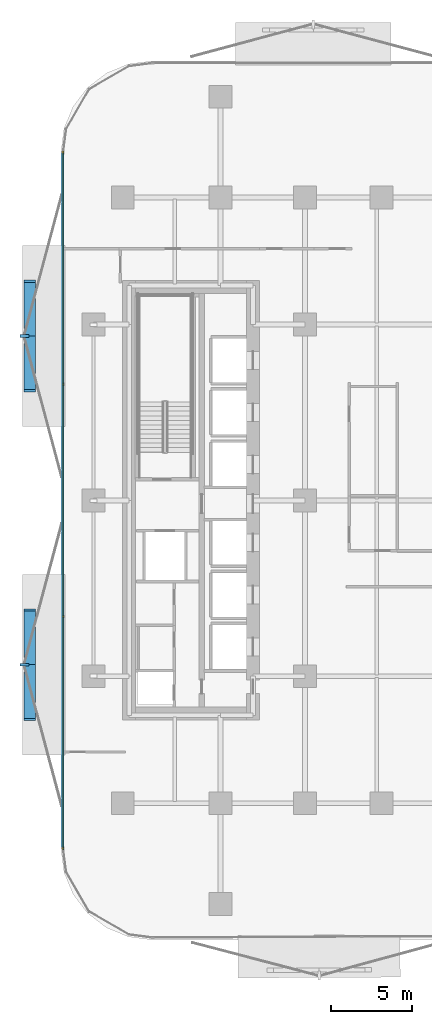
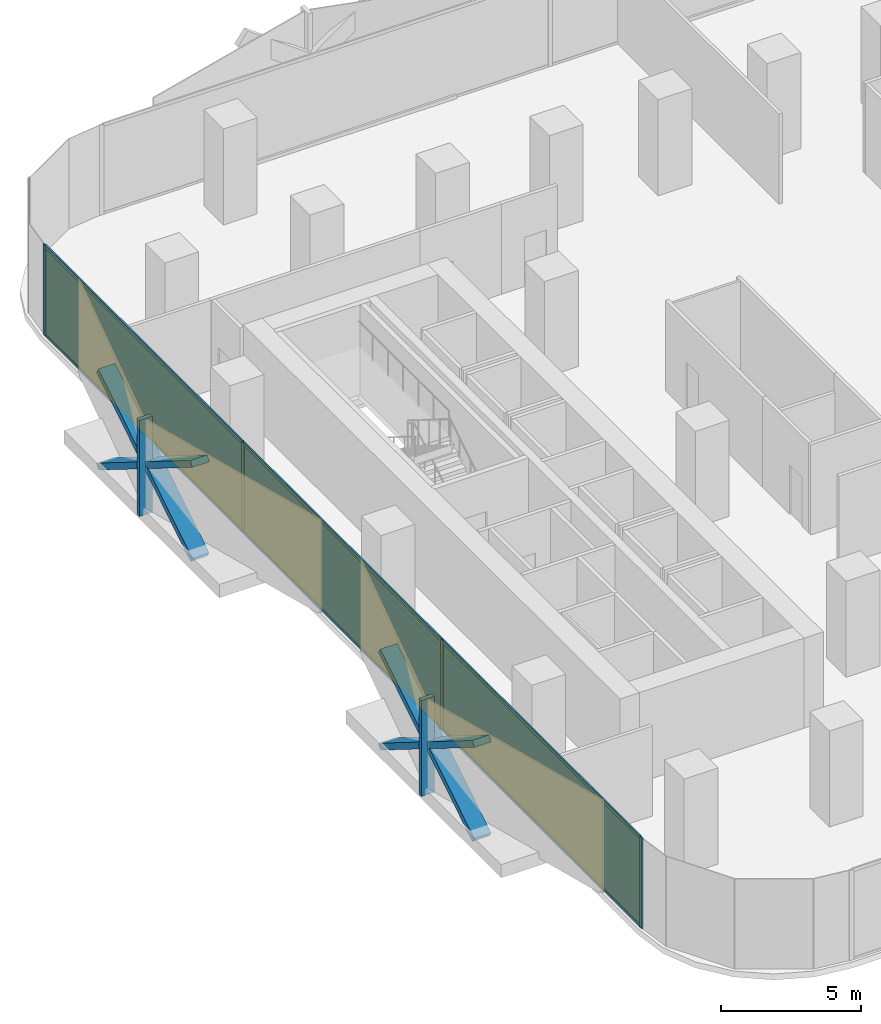
# One storey, part 8 of 15: 16 members, 3 plates, 1 curtain wall.
"""IFC4 building model written with IfcOpenShell, lengths in metres."""

from ifc_helpers import new_model, si_unit, direction, frame, frame_2d, origin, origin_2d, place, context, subcontext, project, spatial, rectangle, extrude, material, layer, layer_set, material_profile, profile_set, type_object, element, aggregate, save


model = new_model("IFC4")

# Units and contexts
model_context = context("Model", 3, precision=1e-05, world=origin(), true_north=direction((0.0, 1.0)))
body_context = subcontext(model_context, "Body", "Model", "MODEL_VIEW")
ifc_project = project(units=[si_unit("LENGTHUNIT", "METRE"), si_unit("AREAUNIT", "SQUARE_METRE"), si_unit("VOLUMEUNIT", "CUBIC_METRE"), si_unit("PLANEANGLEUNIT", "RADIAN"), si_unit("MASSUNIT", "GRAM", prefix="KILO")], contexts=[model_context])

# Member
ifc_material_1 = material(Name="Anodised Bronze Aluminium 6063-T6", Category="aluminium")
ifc_material_profile_1 = material_profile(ifc_material_1, rectangle(XDim=0.260009765625, YDim=0.699951171875, at=origin_2d()))
ifc_profile_set_1 = profile_set([ifc_material_profile_1], Name="Anodised Bronze Aluminium 6063-T6")
member_type_1 = type_object("IfcMemberType", Name="Bronze Diamond Solar-Screen Lattice Rib BDL-700", PredefinedType="MULLION", material=ifc_profile_set_1)
site_placement = place(None, origin())
building_placement = place(site_placement, origin())
storey_placement = place(building_placement, frame((0.0, 0.0, 30.199951171875)))
member_1_placement = place(storey_placement, frame((-26.10009765625, -13.46044921875, -0.1298828125), z_axis=(0.0, 0.848362902952, 0.529415134744), x_axis=(0.0, -0.529415134744, 0.848362902952)))
member_1 = element("IfcMember", 1, at=member_1_placement, type_object=member_type_1, Name="L07 Bronze Diamond Solar Screen Lattice Rib 11A", PredefinedType="MULLION", context=body_context, shape_type="SweptSolid", body=[
    extrude(rectangle(XDim=0.260009765625, YDim=0.699951171875, at=origin_2d()), origin(), (0.0, 0.0, 1.0), 7.93310546875),
])

member_2_placement = place(storey_placement, frame((-26.10009765625, -6.730224609375, -0.1298828125), z_axis=(0.0, -0.848362902952, 0.529415134744), x_axis=(0.0, 0.529415134744, 0.848362902952)))
member_2 = element("IfcMember", 2, at=member_2_placement, type_object=member_type_1, Name="L07 Bronze Diamond Solar Screen Lattice Rib 11B", PredefinedType="MULLION", context=body_context, shape_type="SweptSolid", body=[
    extrude(rectangle(XDim=0.260009765625, YDim=0.699951171875, at=origin_2d()), origin(), (0.0, 0.0, 1.0), 7.93310546875),
])

member_3_placement = place(storey_placement, frame((-26.10009765625, 6.730224609375, -0.1298828125), z_axis=(0.0, 0.848362902952, 0.529415134744), x_axis=(0.0, -0.529415134744, 0.848362902952)))
member_3 = element("IfcMember", 3, at=member_3_placement, type_object=member_type_1, Name="L07 Bronze Diamond Solar Screen Lattice Rib 12A", PredefinedType="MULLION", context=body_context, shape_type="SweptSolid", body=[
    extrude(rectangle(XDim=0.260009765625, YDim=0.699951171875, at=origin_2d()), origin(), (0.0, 0.0, 1.0), 7.93310546875),
])

member_4_placement = place(storey_placement, frame((-26.10009765625, 13.46044921875, -0.1298828125), z_axis=(0.0, -0.848362902952, 0.529415134744), x_axis=(0.0, 0.529415134744, 0.848362902952)))
member_4 = element("IfcMember", 4, at=member_4_placement, type_object=member_type_1, Name="L07 Bronze Diamond Solar Screen Lattice Rib 12B", PredefinedType="MULLION", context=body_context, shape_type="SweptSolid", body=[
    extrude(rectangle(XDim=0.260009765625, YDim=0.699951171875, at=origin_2d()), origin(), (0.0, 0.0, 1.0), 7.93310546875),
])

ifc_material_2 = material(Name="Anodised Bronze Aluminium 6063-T6", Category="aluminium")
ifc_material_profile_2 = material_profile(ifc_material_2, rectangle(XDim=0.179931640625, YDim=0.5400390625, at=origin_2d()))
ifc_profile_set_2 = profile_set([ifc_material_profile_2], Name="Anodised Bronze Aluminium 6063-T6")
member_type_2 = type_object("IfcMemberType", Name="Bronze Solar-Screen Vertical Fold Fin BSF-540", PredefinedType="MULLION", material=ifc_profile_set_2)
member_5_placement = place(storey_placement, frame((-26.43994140625, -10.095458984375, -0.1298828125), z_axis=(0.0, 0.0, 1.0), x_axis=(0.0, 1.0, 0.0)))
member_5 = element("IfcMember", 5, at=member_5_placement, type_object=member_type_2, Name="L07 Bronze Solar Screen Vertical Fin 11", PredefinedType="MULLION", context=body_context, shape_type="SweptSolid", body=[
    extrude(rectangle(XDim=0.179931640625, YDim=0.5400390625, at=origin_2d()), origin(), (0.0, 0.0, 1.0), 4.199951171875),
])

member_6_placement = place(storey_placement, frame((-26.43994140625, 10.095458984375, -0.1298828125), z_axis=(0.0, 0.0, 1.0), x_axis=(0.0, 1.0, 0.0)))
member_6 = element("IfcMember", 6, at=member_6_placement, type_object=member_type_2, Name="L07 Bronze Solar Screen Vertical Fin 12", PredefinedType="MULLION", context=body_context, shape_type="SweptSolid", body=[
    extrude(rectangle(XDim=0.179931640625, YDim=0.5400390625, at=origin_2d()), origin(), (0.0, 0.0, 1.0), 4.199951171875),
])

ifc_material_3 = material(Name="Anodised Bronze Aluminium 6063-T6", Category="aluminium")
ifc_material_profile_3 = material_profile(ifc_material_3, rectangle(XDim=0.06494140625, YDim=0.179931640625, at=origin_2d()))
ifc_profile_set_3 = profile_set([ifc_material_profile_3], Name="Anodised Bronze Aluminium 6063-T6")
member_type_3 = type_object("IfcMemberType", Name="CW-Z1 Mullion 65x180", PredefinedType="MULLION", material=ifc_profile_set_3)
member_7_placement = place(storey_placement, frame((-24.06005859375, -21.3583984375, 0.0), z_axis=(0.0, 0.0, 1.0), x_axis=(-1.0, 0.0, 0.0)))
member_7 = element("IfcMember", 7, at=member_7_placement, type_object=member_type_3, Name="CW-Z1 mullion 1", PredefinedType="MULLION", context=body_context, shape_type="SweptSolid", body=[
    extrude(rectangle(XDim=0.06494140625, YDim=0.179931640625, at=origin_2d()), origin(), (0.0, 0.0, 1.0), 3.93994140625),
])

member_8_placement = place(storey_placement, frame((-24.06005859375, -7.13037109375, 0.0), z_axis=(0.0, 0.0, 1.0), x_axis=(-1.0, 0.0, 0.0)))
member_8 = element("IfcMember", 8, at=member_8_placement, type_object=member_type_3, Name="CW-Z1 mullion 2", PredefinedType="MULLION", context=body_context, shape_type="SweptSolid", body=[
    extrude(rectangle(XDim=0.06494140625, YDim=0.179931640625, at=origin_2d()), origin(), (0.0, 0.0, 1.0), 3.93994140625),
])

member_9_placement = place(storey_placement, frame((-24.06005859375, 7.13037109375, 0.0), z_axis=(0.0, 0.0, 1.0), x_axis=(-1.0, 0.0, 0.0)))
member_9 = element("IfcMember", 9, at=member_9_placement, type_object=member_type_3, Name="CW-Z1 mullion 3", PredefinedType="MULLION", context=body_context, shape_type="SweptSolid", body=[
    extrude(rectangle(XDim=0.06494140625, YDim=0.179931640625, at=origin_2d()), origin(), (0.0, 0.0, 1.0), 3.93994140625),
])

member_10_placement = place(storey_placement, frame((-24.06005859375, 21.3583984375, 0.0), z_axis=(0.0, 0.0, 1.0), x_axis=(-1.0, 0.0, 0.0)))
member_10 = element("IfcMember", 10, at=member_10_placement, type_object=member_type_3, Name="CW-Z1 mullion 4", PredefinedType="MULLION", context=body_context, shape_type="SweptSolid", body=[
    extrude(rectangle(XDim=0.06494140625, YDim=0.179931640625, at=origin_2d()), origin(), (0.0, 0.0, 1.0), 3.93994140625),
])

ifc_material_4 = material(Name="Anodised Bronze Aluminium 6063-T6", Category="aluminium")
ifc_material_profile_4 = material_profile(ifc_material_4, rectangle(XDim=0.06494140625, YDim=0.139892578125, at=origin_2d()))
ifc_profile_set_4 = profile_set([ifc_material_profile_4], Name="Anodised Bronze Aluminium 6063-T6")
member_type_4 = type_object("IfcMemberType", Name="CW-Z1 Transom 65x140", PredefinedType="USERDEFINED", material=ifc_profile_set_4)
member_11_placement = place(storey_placement, frame((-24.06005859375, -21.32568359375, 0.032470703125), z_axis=(0.0, 1.0, 0.0), x_axis=(-1.0, 0.0, 0.0)))
member_11 = element("IfcMember", 11, at=member_11_placement, type_object=member_type_4, Name="CW-Z1 transom 1.1", ObjectType="TRANSOM", PredefinedType="USERDEFINED", context=body_context, shape_type="SweptSolid", body=[
    extrude(rectangle(XDim=0.06494140625, YDim=0.139892578125, at=origin_2d()), origin(), (0.0, 0.0, 1.0), 14.162841796875),
])

member_12_placement = place(storey_placement, frame((-24.06005859375, -21.32568359375, 3.907470703125), z_axis=(0.0, 1.0, 0.0), x_axis=(-1.0, 0.0, 0.0)))
member_12 = element("IfcMember", 12, at=member_12_placement, type_object=member_type_4, Name="CW-Z1 transom 1.2", ObjectType="TRANSOM", PredefinedType="USERDEFINED", context=body_context, shape_type="SweptSolid", body=[
    extrude(rectangle(XDim=0.06494140625, YDim=0.139892578125, at=origin_2d()), origin(), (0.0, 0.0, 1.0), 14.162841796875),
])

member_13_placement = place(storey_placement, frame((-24.06005859375, -7.09765625, 0.032470703125), z_axis=(0.0, 1.0, 0.0), x_axis=(-1.0, 0.0, 0.0)))
member_13 = element("IfcMember", 13, at=member_13_placement, type_object=member_type_4, Name="CW-Z1 transom 2.1", ObjectType="TRANSOM", PredefinedType="USERDEFINED", context=body_context, shape_type="SweptSolid", body=[
    extrude(rectangle(XDim=0.06494140625, YDim=0.139892578125, at=origin_2d()), origin(), (0.0, 0.0, 1.0), 14.1953125),
])

member_14_placement = place(storey_placement, frame((-24.06005859375, -7.09765625, 3.907470703125), z_axis=(0.0, 1.0, 0.0), x_axis=(-1.0, 0.0, 0.0)))
member_14 = element("IfcMember", 14, at=member_14_placement, type_object=member_type_4, Name="CW-Z1 transom 2.2", ObjectType="TRANSOM", PredefinedType="USERDEFINED", context=body_context, shape_type="SweptSolid", body=[
    extrude(rectangle(XDim=0.06494140625, YDim=0.139892578125, at=origin_2d()), origin(), (0.0, 0.0, 1.0), 14.1953125),
])

member_15_placement = place(storey_placement, frame((-24.06005859375, 7.162841796875, 0.032470703125), z_axis=(0.0, 1.0, 0.0), x_axis=(-1.0, 0.0, 0.0)))
member_15 = element("IfcMember", 15, at=member_15_placement, type_object=member_type_4, Name="CW-Z1 transom 3.1", ObjectType="TRANSOM", PredefinedType="USERDEFINED", context=body_context, shape_type="SweptSolid", body=[
    extrude(rectangle(XDim=0.06494140625, YDim=0.139892578125, at=origin_2d()), origin(), (0.0, 0.0, 1.0), 14.162841796875),
])

member_16_placement = place(storey_placement, frame((-24.06005859375, 7.162841796875, 3.907470703125), z_axis=(0.0, 1.0, 0.0), x_axis=(-1.0, 0.0, 0.0)))
member_16 = element("IfcMember", 16, at=member_16_placement, type_object=member_type_4, Name="CW-Z1 transom 3.2", ObjectType="TRANSOM", PredefinedType="USERDEFINED", context=body_context, shape_type="SweptSolid", body=[
    extrude(rectangle(XDim=0.06494140625, YDim=0.139892578125, at=origin_2d()), origin(), (0.0, 0.0, 1.0), 14.162841796875),
])

# Plate
ifc_material_5 = material(Name="Low-E Solar Control Laminated Glass", Category="glass")
ifc_layer_1 = layer(ifc_material_5, 0.028076171875, Name="Low-E Solar Control Laminated Glass")
ifc_layer_set_1 = layer_set([ifc_layer_1], Name="Low-E Solar Control Laminated Glass")
plate_type = type_object("IfcPlateType", Name="CW-Z1 Low-E Double Glazed Panel 28mm", PredefinedType="CURTAIN_PANEL", material=ifc_layer_set_1)
plate_1_placement = place(storey_placement, frame((-24.06005859375, -14.244384765625, 0.06494140625), z_axis=(0.0, 0.0, 1.0), x_axis=(0.0, 1.0, 0.0)))
plate_1 = element("IfcPlate", 17, at=plate_1_placement, type_object=plate_type, Name="CW-Z1 panel 1.1", PredefinedType="CURTAIN_PANEL", context=body_context, shape_type="SweptSolid", body=[
    extrude(rectangle(XDim=14.1630859375, YDim=0.028076171875, at=origin_2d()), origin(), (0.0, 0.0, 1.0), 3.81005859375),
])

plate_2_placement = place(storey_placement, frame((-24.06005859375, 0.0, 0.06494140625), z_axis=(0.0, 0.0, 1.0), x_axis=(0.0, 1.0, 0.0)))
plate_2 = element("IfcPlate", 18, at=plate_2_placement, type_object=plate_type, Name="CW-Z1 panel 2.1", PredefinedType="CURTAIN_PANEL", context=body_context, shape_type="SweptSolid", body=[
    extrude(rectangle(XDim=14.195556640625, YDim=0.028076171875, at=origin_2d()), origin(), (0.0, 0.0, 1.0), 3.81005859375),
])

plate_3_placement = place(storey_placement, frame((-24.06005859375, 14.244384765625, 0.06494140625), z_axis=(0.0, 0.0, 1.0), x_axis=(0.0, 1.0, 0.0)))
plate_3 = element("IfcPlate", 19, at=plate_3_placement, type_object=plate_type, Name="CW-Z1 panel 3.1", PredefinedType="CURTAIN_PANEL", context=body_context, shape_type="SweptSolid", body=[
    extrude(rectangle(XDim=14.1630859375, YDim=0.028076171875, at=origin_2d()), origin(), (0.0, 0.0, 1.0), 3.81005859375),
])

# Site, building, storey
site = spatial("IfcSite", under=ifc_project, at=site_placement, CompositionType="ELEMENT")
building = spatial("IfcBuilding", under=site, at=building_placement, Name="Khairoan Windgate Tower", CompositionType="ELEMENT")
storey = spatial("IfcBuildingStorey", under=building, at=storey_placement, Name="L07", CompositionType="ELEMENT", Elevation=30.199951171875)

# Curtain wall
ifc_material_6 = material(Name="Anodised Bronze Aluminium 6063-T6", Category="aluminium")
ifc_layer_2 = layer(ifc_material_6, 0.179931640625, Name="Anodised Bronze Aluminium 6063-T6")
ifc_layer_set_2 = layer_set([ifc_layer_2], Name="Anodised Bronze Aluminium 6063-T6")
curtain_wall_type = type_object("IfcCurtainWallType", Name="Low-Rise Office Unitised Curtain Wall CW-Z1", PredefinedType="NOTDEFINED", material=ifc_layer_set_2)
curtain_wall_placement = place(storey_placement, frame((-24.06005859375, -21.390869140625, 0.0), z_axis=(0.0, 0.0, 1.0), x_axis=(0.0, 1.0, 0.0)))
curtain_wall = element("IfcCurtainWall", 20, at=curtain_wall_placement, inside=storey, type_object=curtain_wall_type, Name="L07 Unitised Curtain Wall 6", PredefinedType="NOTDEFINED", context=body_context, shape_type="SweptSolid", body=[
    extrude(rectangle(XDim=42.78173828125, YDim=0.010009765625, at=frame_2d((21.390869140625, 0.0))), origin(), (0.0, 0.0, 1.0), 3.93994140625),
])

aggregate(curtain_wall, [member_7, member_8, member_9, member_10, member_11, member_12, plate_1, member_13, member_14, plate_2, member_15, member_16, plate_3, member_1, member_2, member_5, member_3, member_4, member_6])

save(model, "model.ifc")
